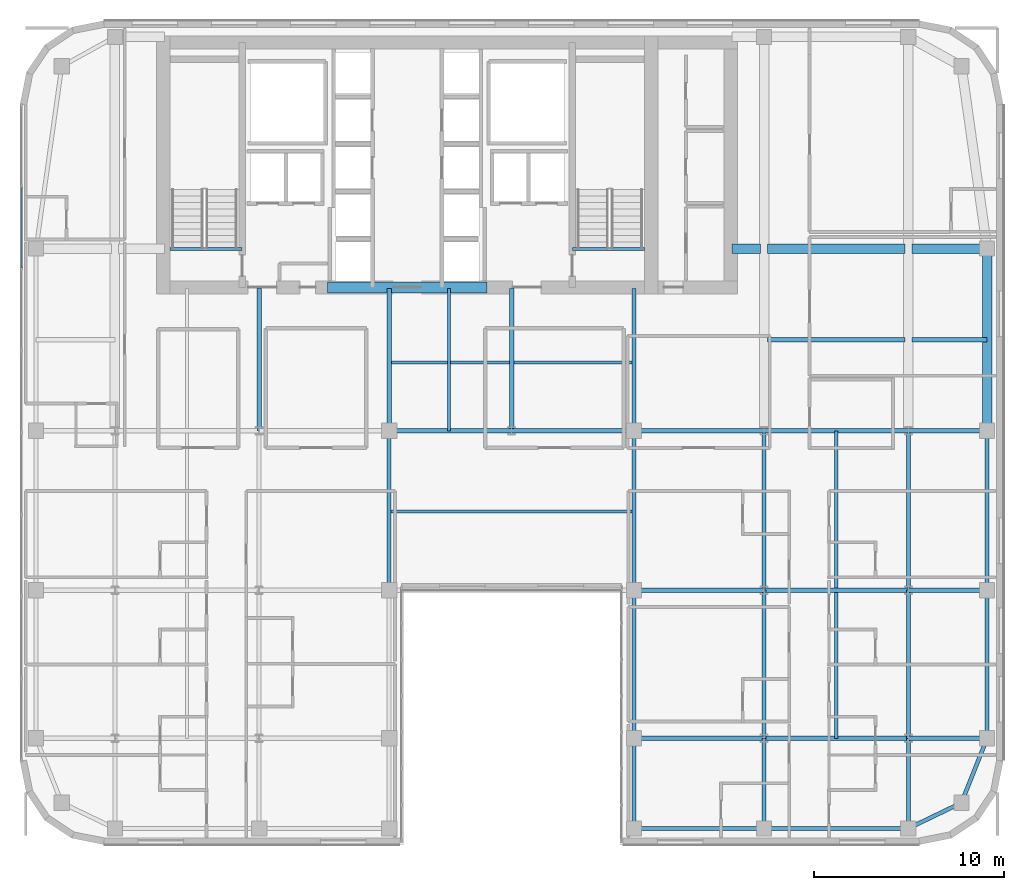
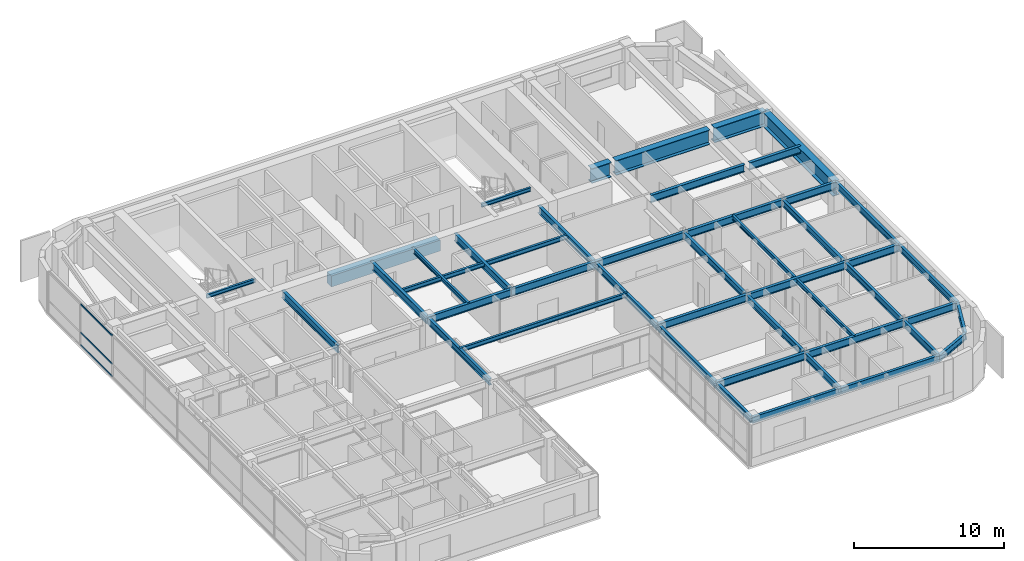
# One storey, part 12 of 28: 45 beams, 3 members, 1 element without a shape of its own.
"""IFC4 building model written with IfcOpenShell, lengths in metres."""

from ifc_helpers import new_model, si_unit, direction, frame, origin, origin_2d, place, context, subcontext, project, spatial, rectangle, hollow_rectangle, i_section, extrude, source, transform, mapped, material, layer, layer_set, material_profile, profile_set, type_object, type_shapes, element, aggregate, save


model = new_model("IFC4")

# Units and contexts
model_context = context("Model", 3, precision=1e-05, world=origin(), true_north=direction((0.0, 1.0)))
body_context = subcontext(model_context, "Body", "Model", "MODEL_VIEW")
ifc_project = project(units=[si_unit("LENGTHUNIT", "METRE"), si_unit("AREAUNIT", "SQUARE_METRE"), si_unit("VOLUMEUNIT", "CUBIC_METRE"), si_unit("PLANEANGLEUNIT", "RADIAN"), si_unit("MASSUNIT", "GRAM", prefix="KILO")], contexts=[model_context])

# Site, building, storey
site_placement = place(None, origin())
site = spatial("IfcSite", under=ifc_project, at=site_placement, CompositionType="ELEMENT")
building_placement = place(site_placement, origin())
building = spatial("IfcBuilding", under=site, at=building_placement, Name="Tolvann Quenvar Hotel", CompositionType="ELEMENT")
storey_placement = place(building_placement, frame((0.0, 0.0, 154.14990234375)))
storey = spatial("IfcBuildingStorey", under=building, at=storey_placement, Name="L40", CompositionType="ELEMENT", Elevation=154.14990234375)

# Beams
ifc_material_1 = material(Name="Concrete N50 (50 MPa)", Category="concrete")
ifc_material_profile_1 = material_profile(ifc_material_1, rectangle(XDim=0.60009765625, YDim=0.89990234375, at=origin_2d()), Name="RC600x900")
ifc_profile_set_1 = profile_set([ifc_material_profile_1], Name="Concrete N50 (50 MPa)")
beam_type_1 = type_object("IfcBeamType", Name="BM_LINT_RC600x900", PredefinedType="LINTEL", material=ifc_profile_set_1)
shared_shape_1 = source(origin(), body_context, "Body", "SweptSolid", [
    extrude(rectangle(XDim=0.60009765625, YDim=0.89990234375, at=origin_2d()), origin(), (0.0, 0.0, 1.0), 8.39990234375),
])
type_shapes(beam_type_1, [shared_shape_1])
beam_1_placement = place(storey_placement, frame((18.800048828125, 31.949951171875, 2.920166015625), z_axis=(1.0, 0.0, 0.0), x_axis=(0.0, 1.0, 0.0)))
element("IfcBeam", 1, at=beam_1_placement, inside=storey, type_object=beam_type_1, Name="Core Coupling Lintel Beam (L40)", PredefinedType="LINTEL", context=body_context, shape_type="MappedRepresentation", body=[
    mapped(shared_shape_1, transform((0.0, 0.0, 0.0), x_axis=(1.0, 0.0, 0.0), y_axis=(0.0, 1.0, 0.0), z_axis=(0.0, 0.0, 1.0), scale=1.0)),
])
ifc_material_2 = material(Name="Steel Grade 350", Category="steel")
ifc_material_profile_2 = material_profile(ifc_material_2, i_section(OverallWidth=0.5, OverallDepth=1.199951171875, WebThickness=0.01611328125, FlangeThickness=0.0400390625, at=origin_2d()), Name="1200WB455")
ifc_profile_set_2 = profile_set([ifc_material_profile_2], Name="Steel Grade 350")
beam_type_2 = type_object("IfcBeamType", Name="BM_TG_1200WB455", PredefinedType="USERDEFINED", material=ifc_profile_set_2)
shared_shape_2 = source(origin(), body_context, "Body", "SweptSolid", [
    extrude(i_section(OverallWidth=0.5, OverallDepth=1.199951171875, WebThickness=0.01611328125, FlangeThickness=0.0400390625, at=origin_2d()), origin(), (0.0, 0.0, 1.0), 9.60009765625),
])
beam_2_placement = place(storey_placement, frame((53.550048828125, 24.39990234375, 2.77001953125), z_axis=(0.0, 1.0, 0.0), x_axis=(-1.0, 0.0, 0.0)))
element("IfcBeam", 2, at=beam_2_placement, inside=storey, type_object=beam_type_2, Name="BM-L40-FLK-E1", ObjectType="TRANSFER GIRDER", PredefinedType="USERDEFINED", context=body_context, shape_type="MappedRepresentation", body=[
    mapped(shared_shape_2, transform((0.0, 0.0, 0.0), x_axis=(1.0, 0.0, 0.0), y_axis=(0.0, 1.0, 0.0), z_axis=(0.0, 0.0, 1.0), scale=1.0)),
])
ifc_material_profile_3 = material_profile(ifc_material_2, i_section(OverallWidth=0.208984375, OverallDepth=0.528076171875, WebThickness=0.009521484375, FlangeThickness=0.01318359375, FilletRadius=0.013916015625, at=origin_2d()), Name="530UB82")
ifc_profile_set_3 = profile_set([ifc_material_profile_3], Name="Steel Grade 350")
beam_type_3 = type_object("IfcBeamType", Name="BM_SPAND_530UB82", PredefinedType="SPANDREL", material=ifc_profile_set_3)
shared_shape_3 = source(origin(), body_context, "Body", "SweptSolid", [
    extrude(i_section(OverallWidth=0.208984375, OverallDepth=0.528076171875, WebThickness=0.009521484375, FlangeThickness=0.01318359375, FilletRadius=0.013916015625, at=origin_2d()), origin(), (0.0, 0.0, 1.0), 7.599853515625),
])
beam_3_placement = place(storey_placement, frame((41.800048828125, 3.449951171875, 3.106201171875), z_axis=(1.0, 0.0, 0.0), x_axis=(0.0, 1.0, 0.0)))
element("IfcBeam", 3, at=beam_3_placement, inside=storey, type_object=beam_type_3, Name="BM-L40-EW-2-H2-I2", PredefinedType="SPANDREL", context=body_context, shape_type="MappedRepresentation", body=[
    mapped(shared_shape_3, transform((0.0, 0.0, 0.0), x_axis=(1.0, 0.0, 0.0), y_axis=(0.0, 1.0, 0.0), z_axis=(0.0, 0.0, 1.0), scale=1.0)),
])
shared_shape_4 = source(origin(), body_context, "Body", "SweptSolid", [
    extrude(i_section(OverallWidth=0.208984375, OverallDepth=0.528076171875, WebThickness=0.009521484375, FlangeThickness=0.01318359375, FilletRadius=0.013916015625, at=origin_2d()), origin(), (0.0, 0.0, 1.0), 6.85009765625),
])
beam_4_placement = place(storey_placement, frame((34.949951171875, 3.449951171875, 3.106201171875), z_axis=(1.0, 0.0, 0.0), x_axis=(0.0, 1.0, 0.0)))
element("IfcBeam", 4, at=beam_4_placement, inside=storey, type_object=beam_type_3, Name="BM-L40-EW-2-F2-H2", PredefinedType="SPANDREL", context=body_context, shape_type="MappedRepresentation", body=[
    mapped(shared_shape_4, transform((0.0, 0.0, 0.0), x_axis=(1.0, 0.0, 0.0), y_axis=(0.0, 1.0, 0.0), z_axis=(0.0, 0.0, 1.0), scale=1.0)),
])
shared_shape_5 = source(origin(), body_context, "Body", "SweptSolid", [
    extrude(i_section(OverallWidth=0.208984375, OverallDepth=0.528076171875, WebThickness=0.009521484375, FlangeThickness=0.01318359375, FilletRadius=0.013916015625, at=origin_2d()), origin(), (0.0, 0.0, 1.0), 7.800048828125),
])
beam_5_placement = place(storey_placement, frame((53.550048828125, 8.199951171875, 3.106201171875), z_axis=(0.0, 1.0, 0.0), x_axis=(-1.0, 0.0, 0.0)))
element("IfcBeam", 5, at=beam_5_placement, inside=storey, type_object=beam_type_3, Name="BM-L40-NS-J3-J4", PredefinedType="SPANDREL", context=body_context, shape_type="MappedRepresentation", body=[
    mapped(shared_shape_5, transform((0.0, 0.0, 0.0), x_axis=(1.0, 0.0, 0.0), y_axis=(0.0, 1.0, 0.0), z_axis=(0.0, 0.0, 1.0), scale=1.0)),
])
shared_shape_6 = source(origin(), body_context, "Body", "SweptSolid", [
    extrude(i_section(OverallWidth=0.208984375, OverallDepth=0.528076171875, WebThickness=0.009521484375, FlangeThickness=0.01318359375, FilletRadius=0.013916015625, at=origin_2d()), origin(), (0.0, 0.0, 1.0), 8.39990234375),
])
beam_6_placement = place(storey_placement, frame((53.550048828125, 16.0, 3.106201171875), z_axis=(0.0, 1.0, 0.0), x_axis=(-1.0, 0.0, 0.0)))
element("IfcBeam", 6, at=beam_6_placement, inside=storey, type_object=beam_type_3, Name="BM-L40-NS-J4-J5", PredefinedType="SPANDREL", context=body_context, shape_type="MappedRepresentation", body=[
    mapped(shared_shape_6, transform((0.0, 0.0, 0.0), x_axis=(1.0, 0.0, 0.0), y_axis=(0.0, 1.0, 0.0), z_axis=(0.0, 0.0, 1.0), scale=1.0)),
])
ifc_material_profile_4 = material_profile(ifc_material_2, i_section(OverallWidth=0.208984375, OverallDepth=0.532958984375, WebThickness=0.01025390625, FlangeThickness=0.015625, FilletRadius=0.013916015625, at=origin_2d()), Name="530UB92")
ifc_profile_set_4 = profile_set([ifc_material_profile_4], Name="Steel Grade 350")
beam_type_4 = type_object("IfcBeamType", Name="BM_GIRD_530UB92", PredefinedType="BEAM", material=ifc_profile_set_4)
shared_shape_7 = source(origin(), body_context, "Body", "SweptSolid", [
    extrude(i_section(OverallWidth=0.208984375, OverallDepth=0.532958984375, WebThickness=0.01025390625, FlangeThickness=0.015625, FilletRadius=0.013916015625, at=origin_2d()), origin(), (0.0, 0.0, 1.0), 7.800048828125),
])
for number, where, z_axis, x_axis, name in (
    (7, (34.949951171875, 8.199951171875, 3.103515625), (0.0, 1.0, 0.0), (-1.0, 0.0, 0.0), "BM-L40-NS-F3-F4"),
    (8, (41.800048828125, 8.199951171875, 3.103515625), (0.0, 1.0, 0.0), (-1.0, 0.0, 0.0), "BM-L40-NS-H3-H4"),
    (9, (49.39990234375, 8.199951171875, 3.103515625), (0.0, 1.0, 0.0), (-1.0, 0.0, 0.0), "BM-L40-NS-I3-I4"),
):
    element("IfcBeam", number, at=place(storey_placement, frame(where, z_axis=z_axis, x_axis=x_axis)), inside=storey, type_object=beam_type_4, Name=name, PredefinedType="BEAM", context=body_context, shape_type="MappedRepresentation", body=[
        mapped(shared_shape_7, transform((0.0, 0.0, 0.0), x_axis=(1.0, 0.0, 0.0), y_axis=(0.0, 1.0, 0.0), z_axis=(0.0, 0.0, 1.0), scale=1.0)),
    ])
shared_shape_8 = source(origin(), body_context, "Body", "SweptSolid", [
    extrude(i_section(OverallWidth=0.208984375, OverallDepth=0.532958984375, WebThickness=0.01025390625, FlangeThickness=0.015625, FilletRadius=0.013916015625, at=origin_2d()), origin(), (0.0, 0.0, 1.0), 8.39990234375),
])
for number, where, z_axis, x_axis, name in (
    (10, (22.050048828125, 16.0, 3.103515625), (0.0, 1.0, 0.0), (-1.0, 0.0, 0.0), "BM-L40-NS-E4-E5"),
    (11, (34.949951171875, 16.0, 3.103515625), (0.0, 1.0, 0.0), (-1.0, 0.0, 0.0), "BM-L40-NS-F4-F5"),
    (12, (41.800048828125, 16.0, 3.103515625), (0.0, 1.0, 0.0), (-1.0, 0.0, 0.0), "BM-L40-NS-H4-H5"),
    (13, (49.39990234375, 16.0, 3.103515625), (0.0, 1.0, 0.0), (-1.0, 0.0, 0.0), "BM-L40-NS-I4-I5"),
):
    element("IfcBeam", number, at=place(storey_placement, frame(where, z_axis=z_axis, x_axis=x_axis)), inside=storey, type_object=beam_type_4, Name=name, PredefinedType="BEAM", context=body_context, shape_type="MappedRepresentation", body=[
        mapped(shared_shape_8, transform((0.0, 0.0, 0.0), x_axis=(1.0, 0.0, 0.0), y_axis=(0.0, 1.0, 0.0), z_axis=(0.0, 0.0, 1.0), scale=1.0)),
    ])
shared_shape_9 = source(origin(), body_context, "Body", "SweptSolid", [
    extrude(i_section(OverallWidth=0.5, OverallDepth=1.199951171875, WebThickness=0.01611328125, FlangeThickness=0.0400390625, at=origin_2d()), origin(), (0.0, 0.0, 1.0), 1.52001953125),
])
beam_7_placement = place(storey_placement, frame((40.10009765625, 34.0, 2.77001953125), z_axis=(1.0, 0.0, 0.0), x_axis=(0.0, 1.0, 0.0)))
element("IfcBeam", 14, at=beam_7_placement, inside=storey, type_object=beam_type_2, Name="BM-L40-CTE-JD6A", ObjectType="TRANSFER GIRDER", PredefinedType="USERDEFINED", context=body_context, shape_type="MappedRepresentation", body=[
    mapped(shared_shape_9, transform((0.0, 0.0, 0.0), x_axis=(1.0, 0.0, 0.0), y_axis=(0.0, 1.0, 0.0), z_axis=(0.0, 0.0, 1.0), scale=1.0)),
])
shared_shape_10 = source(origin(), body_context, "Body", "SweptSolid", [
    extrude(i_section(OverallWidth=0.5, OverallDepth=1.199951171875, WebThickness=0.01611328125, FlangeThickness=0.0400390625, at=origin_2d()), origin(), (0.0, 0.0, 1.0), 7.239990234375),
])
beam_8_placement = place(storey_placement, frame((41.97998046875, 34.0, 2.77001953125), z_axis=(1.0, 0.0, 0.0), x_axis=(0.0, 1.0, 0.0)))
element("IfcBeam", 15, at=beam_8_placement, inside=storey, type_object=beam_type_2, Name="BM-L40-CTE-JD6B", ObjectType="TRANSFER GIRDER", PredefinedType="USERDEFINED", context=body_context, shape_type="MappedRepresentation", body=[
    mapped(shared_shape_10, transform((0.0, 0.0, 0.0), x_axis=(1.0, 0.0, 0.0), y_axis=(0.0, 1.0, 0.0), z_axis=(0.0, 0.0, 1.0), scale=1.0)),
])
ifc_material_profile_5 = material_profile(ifc_material_2, i_section(OverallWidth=0.166015625, OverallDepth=0.306884765625, WebThickness=0.006591796875, FlangeThickness=0.01171875, FilletRadius=0.011474609375, at=origin_2d()), Name="310UB46")
ifc_profile_set_5 = profile_set([ifc_material_profile_5], Name="Steel Grade 350")
beam_type_5 = type_object("IfcBeamType", Name="BM_JOIST_310UB46", PredefinedType="JOIST", material=ifc_profile_set_5)
shared_shape_11 = source(origin(), body_context, "Body", "SweptSolid", [
    extrude(i_section(OverallWidth=0.166015625, OverallDepth=0.306884765625, WebThickness=0.006591796875, FlangeThickness=0.01171875, FilletRadius=0.011474609375, at=origin_2d()), origin(), (0.0, 0.0, 1.0), 3.800048828125),
])
type_shapes(beam_type_5, [shared_shape_11])
for number, where, z_axis, x_axis, name in (
    (16, (10.5, 33.97998046875, 3.216552734375), (1.0, 0.0, 0.0), (0.0, 1.0, 0.0), "BM-HDR-STC1-L41"),
    (17, (31.699951171875, 33.97998046875, 3.216552734375), (1.0, 0.0, 0.0), (0.0, 1.0, 0.0), "BM-HDR-STC2-L41"),
):
    element("IfcBeam", number, at=place(storey_placement, frame(where, z_axis=z_axis, x_axis=x_axis)), inside=storey, type_object=beam_type_5, Name=name, PredefinedType="JOIST", context=body_context, shape_type="MappedRepresentation", body=[
        mapped(shared_shape_11, transform((0.0, 0.0, 0.0), x_axis=(1.0, 0.0, 0.0), y_axis=(0.0, 1.0, 0.0), z_axis=(0.0, 0.0, 1.0), scale=1.0)),
    ])
shared_shape_12 = source(origin(), body_context, "Body", "SweptSolid", [
    extrude(i_section(OverallWidth=0.5, OverallDepth=1.199951171875, WebThickness=0.01611328125, FlangeThickness=0.0400390625, at=origin_2d()), origin(), (0.0, 0.0, 1.0), 3.969970703125),
])
type_shapes(beam_type_2, [shared_shape_2, shared_shape_9, shared_shape_10, shared_shape_12])
beam_9_placement = place(storey_placement, frame((49.580078125, 34.0, 2.77001953125), z_axis=(1.0, 0.0, 0.0), x_axis=(0.0, 1.0, 0.0)))
element("IfcBeam", 18, at=beam_9_placement, inside=storey, type_object=beam_type_2, Name="BM-L40-CTE-JD6C", ObjectType="TRANSFER GIRDER", PredefinedType="USERDEFINED", context=body_context, shape_type="MappedRepresentation", body=[
    mapped(shared_shape_12, transform((0.0, 0.0, 0.0), x_axis=(1.0, 0.0, 0.0), y_axis=(0.0, 1.0, 0.0), z_axis=(0.0, 0.0, 1.0), scale=1.0)),
])
ifc_material_profile_6 = material_profile(ifc_material_2, i_section(OverallWidth=0.172119140625, OverallDepth=0.35888671875, WebThickness=0.008056640625, FlangeThickness=0.012939453125, FilletRadius=0.011474609375, at=origin_2d()), Name="360UB57")
ifc_profile_set_6 = profile_set([ifc_material_profile_6], Name="Steel Grade 350")
beam_type_6 = type_object("IfcBeamType", Name="BM_JOIST_360UB57", PredefinedType="JOIST", material=ifc_profile_set_6)
shared_shape_13 = source(origin(), body_context, "Body", "SweptSolid", [
    extrude(i_section(OverallWidth=0.172119140625, OverallDepth=0.35888671875, WebThickness=0.008056640625, FlangeThickness=0.012939453125, FilletRadius=0.011474609375, at=origin_2d()), origin(), (0.0, 0.0, 1.0), 12.89990234375),
])
for number, where, z_axis, x_axis, name in (
    (19, (22.050048828125, 20.14990234375, 3.190673828125), (1.0, 0.0, 0.0), (0.0, 1.0, 0.0), "BM-L40-SPINE-20"),
    (20, (22.050048828125, 28.0, 3.190673828125), (1.0, 0.0, 0.0), (0.0, 1.0, 0.0), "BM-L40-SPINE-28"),
):
    element("IfcBeam", number, at=place(storey_placement, frame(where, z_axis=z_axis, x_axis=x_axis)), inside=storey, type_object=beam_type_6, Name=name, PredefinedType="JOIST", context=body_context, shape_type="MappedRepresentation", body=[
        mapped(shared_shape_13, transform((0.0, 0.0, 0.0), x_axis=(1.0, 0.0, 0.0), y_axis=(0.0, 1.0, 0.0), z_axis=(0.0, 0.0, 1.0), scale=1.0)),
    ])
shared_shape_14 = source(origin(), body_context, "Body", "SweptSolid", [
    extrude(i_section(OverallWidth=0.172119140625, OverallDepth=0.35888671875, WebThickness=0.008056640625, FlangeThickness=0.012939453125, FilletRadius=0.011474609375, at=origin_2d()), origin(), (0.0, 0.0, 1.0), 7.5),
])
beam_10_placement = place(storey_placement, frame((25.199951171875, 24.39990234375, 3.190673828125), z_axis=(0.0, 1.0, 0.0), x_axis=(-1.0, 0.0, 0.0)))
element("IfcBeam", 21, at=beam_10_placement, inside=storey, type_object=beam_type_6, Name="BJ-L40-252-244", PredefinedType="JOIST", context=body_context, shape_type="MappedRepresentation", body=[
    mapped(shared_shape_14, transform((0.0, 0.0, 0.0), x_axis=(1.0, 0.0, 0.0), y_axis=(0.0, 1.0, 0.0), z_axis=(0.0, 0.0, 1.0), scale=1.0)),
])
shared_shape_15 = source(origin(), body_context, "Body", "SweptSolid", [
    extrude(i_section(OverallWidth=0.208984375, OverallDepth=0.528076171875, WebThickness=0.009521484375, FlangeThickness=0.01318359375, FilletRadius=0.013916015625, at=origin_2d()), origin(), (0.0, 0.0, 1.0), 3.108642578125),
])
beam_11_placement = place(storey_placement, frame((49.39990234375, 3.449951171875, 3.106201171875), z_axis=(0.900759354066, 0.434318530646, 0.0), x_axis=(-0.434318530646, 0.900759354066, 0.0)))
element("IfcBeam", 22, at=beam_11_placement, inside=storey, type_object=beam_type_3, Name="BM-L40-EW-2-I2-J2", PredefinedType="SPANDREL", context=body_context, shape_type="MappedRepresentation", body=[
    mapped(shared_shape_15, transform((0.0, 0.0, 0.0), x_axis=(1.0, 0.0, 0.0), y_axis=(0.0, 1.0, 0.0), z_axis=(0.0, 0.0, 1.0), scale=1.0)),
])
ifc_material_profile_7 = material_profile(ifc_material_2, i_section(OverallWidth=0.22802734375, OverallDepth=0.60205078125, WebThickness=0.010498046875, FlangeThickness=0.014892578125, FilletRadius=0.013916015625, at=origin_2d()), Name="610UB101")
ifc_profile_set_7 = profile_set([ifc_material_profile_7], Name="Steel Grade 350")
beam_type_7 = type_object("IfcBeamType", Name="BM_GIRD_610UB101", PredefinedType="BEAM", material=ifc_profile_set_7)
shared_shape_16 = source(origin(), body_context, "Body", "SweptSolid", [
    extrude(i_section(OverallWidth=0.22802734375, OverallDepth=0.60205078125, WebThickness=0.010498046875, FlangeThickness=0.014892578125, FilletRadius=0.013916015625, at=origin_2d()), origin(), (0.0, 0.0, 1.0), 4.150146484375),
])
for number, where, z_axis, x_axis, name in (
    (23, (49.39990234375, 8.199951171875, 3.069091796875), (1.0, 0.0, 0.0), (0.0, 1.0, 0.0), "BM-L40-EW-3-I3-J3"),
    (24, (49.39990234375, 16.0, 3.069091796875), (1.0, 0.0, 0.0), (0.0, 1.0, 0.0), "BM-L40-EW-4-I4-J4"),
    (25, (49.39990234375, 24.39990234375, 3.069091796875), (1.0, 0.0, 0.0), (0.0, 1.0, 0.0), "BM-L40-EW-5-I5-J5"),
):
    element("IfcBeam", number, at=place(storey_placement, frame(where, z_axis=z_axis, x_axis=x_axis)), inside=storey, type_object=beam_type_7, Name=name, PredefinedType="BEAM", context=body_context, shape_type="MappedRepresentation", body=[
        mapped(shared_shape_16, transform((0.0, 0.0, 0.0), x_axis=(1.0, 0.0, 0.0), y_axis=(0.0, 1.0, 0.0), z_axis=(0.0, 0.0, 1.0), scale=1.0)),
    ])
shared_shape_17 = source(origin(), body_context, "Body", "SweptSolid", [
    extrude(i_section(OverallWidth=0.22802734375, OverallDepth=0.60205078125, WebThickness=0.010498046875, FlangeThickness=0.014892578125, FilletRadius=0.013916015625, at=origin_2d()), origin(), (0.0, 0.0, 1.0), 7.599853515625),
])
for number, where, z_axis, x_axis, name in (
    (26, (41.800048828125, 8.199951171875, 3.069091796875), (1.0, 0.0, 0.0), (0.0, 1.0, 0.0), "BM-L40-EW-3-H3-I3"),
    (27, (41.800048828125, 16.0, 3.069091796875), (1.0, 0.0, 0.0), (0.0, 1.0, 0.0), "BM-L40-EW-4-H4-I4"),
    (28, (41.800048828125, 24.39990234375, 3.069091796875), (1.0, 0.0, 0.0), (0.0, 1.0, 0.0), "BM-L40-EW-5-H5-I5"),
):
    element("IfcBeam", number, at=place(storey_placement, frame(where, z_axis=z_axis, x_axis=x_axis)), inside=storey, type_object=beam_type_7, Name=name, PredefinedType="BEAM", context=body_context, shape_type="MappedRepresentation", body=[
        mapped(shared_shape_17, transform((0.0, 0.0, 0.0), x_axis=(1.0, 0.0, 0.0), y_axis=(0.0, 1.0, 0.0), z_axis=(0.0, 0.0, 1.0), scale=1.0)),
    ])
shared_shape_18 = source(origin(), body_context, "Body", "SweptSolid", [
    extrude(i_section(OverallWidth=0.22802734375, OverallDepth=0.60205078125, WebThickness=0.010498046875, FlangeThickness=0.014892578125, FilletRadius=0.013916015625, at=origin_2d()), origin(), (0.0, 0.0, 1.0), 6.85009765625),
])
for number, where, z_axis, x_axis, name in (
    (29, (34.949951171875, 8.199951171875, 3.069091796875), (1.0, 0.0, 0.0), (0.0, 1.0, 0.0), "BM-L40-EW-3-F3-H3"),
    (30, (34.949951171875, 16.0, 3.069091796875), (1.0, 0.0, 0.0), (0.0, 1.0, 0.0), "BM-L40-EW-4-F4-H4"),
    (31, (34.949951171875, 24.39990234375, 3.069091796875), (1.0, 0.0, 0.0), (0.0, 1.0, 0.0), "BM-L40-EW-5-F5-H5"),
):
    element("IfcBeam", number, at=place(storey_placement, frame(where, z_axis=z_axis, x_axis=x_axis)), inside=storey, type_object=beam_type_7, Name=name, PredefinedType="BEAM", context=body_context, shape_type="MappedRepresentation", body=[
        mapped(shared_shape_18, transform((0.0, 0.0, 0.0), x_axis=(1.0, 0.0, 0.0), y_axis=(0.0, 1.0, 0.0), z_axis=(0.0, 0.0, 1.0), scale=1.0)),
    ])
shared_shape_19 = source(origin(), body_context, "Body", "SweptSolid", [
    extrude(i_section(OverallWidth=0.22802734375, OverallDepth=0.60205078125, WebThickness=0.010498046875, FlangeThickness=0.014892578125, FilletRadius=0.013916015625, at=origin_2d()), origin(), (0.0, 0.0, 1.0), 6.449951171875),
])
for number, where, z_axis, x_axis, name in (
    (32, (22.050048828125, 24.39990234375, 3.069091796875), (1.0, 0.0, 0.0), (0.0, 1.0, 0.0), "BM-L40-EW-5-E5-M5"),
    (33, (28.5, 24.39990234375, 3.069091796875), (1.0, 0.0, 0.0), (0.0, 1.0, 0.0), "BM-L40-EW-5-M5-F5"),
):
    element("IfcBeam", number, at=place(storey_placement, frame(where, z_axis=z_axis, x_axis=x_axis)), inside=storey, type_object=beam_type_7, Name=name, PredefinedType="BEAM", context=body_context, shape_type="MappedRepresentation", body=[
        mapped(shared_shape_19, transform((0.0, 0.0, 0.0), x_axis=(1.0, 0.0, 0.0), y_axis=(0.0, 1.0, 0.0), z_axis=(0.0, 0.0, 1.0), scale=1.0)),
    ])
shared_shape_20 = source(origin(), body_context, "Body", "SweptSolid", [
    extrude(i_section(OverallWidth=0.208984375, OverallDepth=0.528076171875, WebThickness=0.009521484375, FlangeThickness=0.01318359375, FilletRadius=0.013916015625, at=origin_2d()), origin(), (0.0, 0.0, 1.0), 3.658203125),
])
type_shapes(beam_type_3, [shared_shape_3, shared_shape_4, shared_shape_5, shared_shape_6, shared_shape_15, shared_shape_20])
beam_12_placement = place(storey_placement, frame((52.199951171875, 4.800048828125, 3.106201171875), z_axis=(0.369065163807, 0.929403521009, 0.0), x_axis=(-0.929403521009, 0.369065163807, 0.0)))
element("IfcBeam", 34, at=beam_12_placement, inside=storey, type_object=beam_type_3, Name="BM-L40-NS-J2-J3", PredefinedType="SPANDREL", context=body_context, shape_type="MappedRepresentation", body=[
    mapped(shared_shape_20, transform((0.0, 0.0, 0.0), x_axis=(1.0, 0.0, 0.0), y_axis=(0.0, 1.0, 0.0), z_axis=(0.0, 0.0, 1.0), scale=1.0)),
])
shared_shape_21 = source(origin(), body_context, "Body", "SweptSolid", [
    extrude(i_section(OverallWidth=0.208984375, OverallDepth=0.532958984375, WebThickness=0.01025390625, FlangeThickness=0.015625, FilletRadius=0.013916015625, at=origin_2d()), origin(), (0.0, 0.0, 1.0), 4.75),
])
type_shapes(beam_type_4, [shared_shape_7, shared_shape_8, shared_shape_21])
for number, where, z_axis, x_axis, name in (
    (35, (34.949951171875, 3.449951171875, 3.103515625), (0.0, 1.0, 0.0), (-1.0, 0.0, 0.0), "BM-L40-NS-F2-F3"),
    (36, (41.800048828125, 3.449951171875, 3.103515625), (0.0, 1.0, 0.0), (-1.0, 0.0, 0.0), "BM-L40-NS-H2-H3"),
    (37, (49.39990234375, 3.449951171875, 3.103515625), (0.0, 1.0, 0.0), (-1.0, 0.0, 0.0), "BM-L40-NS-I2-I3"),
):
    element("IfcBeam", number, at=place(storey_placement, frame(where, z_axis=z_axis, x_axis=x_axis)), inside=storey, type_object=beam_type_4, Name=name, PredefinedType="BEAM", context=body_context, shape_type="MappedRepresentation", body=[
        mapped(shared_shape_21, transform((0.0, 0.0, 0.0), x_axis=(1.0, 0.0, 0.0), y_axis=(0.0, 1.0, 0.0), z_axis=(0.0, 0.0, 1.0), scale=1.0)),
    ])
shared_shape_22 = source(origin(), body_context, "Body", "SweptSolid", [
    extrude(i_section(OverallWidth=0.22802734375, OverallDepth=0.60205078125, WebThickness=0.010498046875, FlangeThickness=0.014892578125, FilletRadius=0.013916015625, at=origin_2d()), origin(), (0.0, 0.0, 1.0), 7.5),
])
for number, where, z_axis, x_axis, name in (
    (38, (15.199951171875, 24.39990234375, 3.069091796875), (0.0, 1.0, 0.0), (-1.0, 0.0, 0.0), "BM-L40-CORE-D5"),
    (39, (22.050048828125, 24.39990234375, 3.069091796875), (0.0, 1.0, 0.0), (-1.0, 0.0, 0.0), "BM-L40-CORE-E5"),
    (40, (34.949951171875, 24.39990234375, 3.069091796875), (0.0, 1.0, 0.0), (-1.0, 0.0, 0.0), "BM-L40-CORE-F5"),
    (41, (28.5, 24.39990234375, 3.069091796875), (0.0, 1.0, 0.0), (-1.0, 0.0, 0.0), "BM-L40-CORE-M5"),
):
    element("IfcBeam", number, at=place(storey_placement, frame(where, z_axis=z_axis, x_axis=x_axis)), inside=storey, type_object=beam_type_7, Name=name, PredefinedType="BEAM", context=body_context, shape_type="MappedRepresentation", body=[
        mapped(shared_shape_22, transform((0.0, 0.0, 0.0), x_axis=(1.0, 0.0, 0.0), y_axis=(0.0, 1.0, 0.0), z_axis=(0.0, 0.0, 1.0), scale=1.0)),
    ])
shared_shape_23 = source(origin(), body_context, "Body", "SweptSolid", [
    extrude(i_section(OverallWidth=0.22802734375, OverallDepth=0.60205078125, WebThickness=0.010498046875, FlangeThickness=0.014892578125, FilletRadius=0.013916015625, at=origin_2d()), origin(), (0.0, 0.0, 1.0), 7.239990234375),
])
beam_13_placement = place(storey_placement, frame((41.97998046875, 29.199951171875, 3.069091796875), z_axis=(1.0, 0.0, 0.0), x_axis=(0.0, 1.0, 0.0)))
element("IfcBeam", 42, at=beam_13_placement, inside=storey, type_object=beam_type_7, Name="BM-L40-EW-HI29", PredefinedType="BEAM", context=body_context, shape_type="MappedRepresentation", body=[
    mapped(shared_shape_23, transform((0.0, 0.0, 0.0), x_axis=(1.0, 0.0, 0.0), y_axis=(0.0, 1.0, 0.0), z_axis=(0.0, 0.0, 1.0), scale=1.0)),
])
shared_shape_24 = source(origin(), body_context, "Body", "SweptSolid", [
    extrude(i_section(OverallWidth=0.22802734375, OverallDepth=0.60205078125, WebThickness=0.010498046875, FlangeThickness=0.014892578125, FilletRadius=0.013916015625, at=origin_2d()), origin(), (0.0, 0.0, 1.0), 3.969970703125),
])
type_shapes(beam_type_7, [shared_shape_16, shared_shape_17, shared_shape_18, shared_shape_19, shared_shape_22, shared_shape_23, shared_shape_24])
beam_14_placement = place(storey_placement, frame((49.580078125, 29.199951171875, 3.069091796875), z_axis=(1.0, 0.0, 0.0), x_axis=(0.0, 1.0, 0.0)))
element("IfcBeam", 43, at=beam_14_placement, inside=storey, type_object=beam_type_7, Name="BM-L40-EW-IJ29", PredefinedType="BEAM", context=body_context, shape_type="MappedRepresentation", body=[
    mapped(shared_shape_24, transform((0.0, 0.0, 0.0), x_axis=(1.0, 0.0, 0.0), y_axis=(0.0, 1.0, 0.0), z_axis=(0.0, 0.0, 1.0), scale=1.0)),
])
shared_shape_25 = source(origin(), body_context, "Body", "SweptSolid", [
    extrude(i_section(OverallWidth=0.172119140625, OverallDepth=0.35888671875, WebThickness=0.008056640625, FlangeThickness=0.012939453125, FilletRadius=0.011474609375, at=origin_2d()), origin(), (0.0, 0.0, 1.0), 7.692138671875),
])
beam_15_placement = place(storey_placement, frame((45.60009765625, 8.199951171875, 3.190673828125), z_axis=(0.0, 1.0, 0.0), x_axis=(-1.0, 0.0, 0.0)))
element("IfcBeam", 44, at=beam_15_placement, inside=storey, type_object=beam_type_6, Name="BJ-L40-456-82", PredefinedType="JOIST", context=body_context, shape_type="MappedRepresentation", body=[
    mapped(shared_shape_25, transform((0.0, 0.0, 0.0), x_axis=(1.0, 0.0, 0.0), y_axis=(0.0, 1.0, 0.0), z_axis=(0.0, 0.0, 1.0), scale=1.0)),
])
shared_shape_26 = source(origin(), body_context, "Body", "SweptSolid", [
    extrude(i_section(OverallWidth=0.172119140625, OverallDepth=0.35888671875, WebThickness=0.008056640625, FlangeThickness=0.012939453125, FilletRadius=0.011474609375, at=origin_2d()), origin(), (0.0, 0.0, 1.0), 8.2919921875),
])
type_shapes(beam_type_6, [shared_shape_13, shared_shape_14, shared_shape_25, shared_shape_26])
beam_16_placement = place(storey_placement, frame((45.60009765625, 16.10791015625, 3.190673828125), z_axis=(0.0, 1.0, 0.0), x_axis=(-1.0, 0.0, 0.0)))
element("IfcBeam", 45, at=beam_16_placement, inside=storey, type_object=beam_type_6, Name="BJ-L40-456-160", PredefinedType="JOIST", context=body_context, shape_type="MappedRepresentation", body=[
    mapped(shared_shape_26, transform((0.0, 0.0, 0.0), x_axis=(1.0, 0.0, 0.0), y_axis=(0.0, 1.0, 0.0), z_axis=(0.0, 0.0, 1.0), scale=1.0)),
])

# Curtain wall, members
ifc_material_3 = material(Name="Thermally broken anodised architectural aluminium 6063-T6 and laminated low-E glass", Category="aluminium")
ifc_layer = layer(ifc_material_3, 0.179931640625)
ifc_layer_set = layer_set([ifc_layer], Name="Thermally broken anodised architectural aluminium 6063-T6 and laminated low-E glass")
curtain_wall_type = type_object("IfcCurtainWallType", Name="CW_SYS_BAND_04", PredefinedType="USERDEFINED", material=ifc_layer_set)
curtain_wall_placement = place(storey_placement, origin())
curtain_wall = element("IfcCurtainWall", 46, at=curtain_wall_placement, inside=storey, type_object=curtain_wall_type, Name="Curtain Wall CW-BAND-04 (CWR-L40-E23)", ObjectType="UNITISED CURTAIN WALL", PredefinedType="USERDEFINED")
ifc_material_4 = material(Name="Anodised architectural aluminium 6063-T6 framing", Category="aluminium")
ifc_material_profile_8 = material_profile(ifc_material_4, hollow_rectangle(XDim=0.06005859375, YDim=0.1201171875, WallThickness=0.00341796875, at=origin_2d()), Name="120x60x3.5RHS")
ifc_profile_set_8 = profile_set([ifc_material_profile_8], Name="Anodised architectural aluminium 6063-T6 framing")
member_type = type_object("IfcMemberType", Name="CW_TRAN_120x60", PredefinedType="USERDEFINED", material=ifc_profile_set_8)
shared_shape_27 = source(origin(), body_context, "Body", "SweptSolid", [
    extrude(hollow_rectangle(XDim=0.06005859375, YDim=0.1201171875, WallThickness=0.00341796875, at=origin_2d()), origin(), (0.0, 0.0, 1.0), 4.250732421875),
])
type_shapes(member_type, [shared_shape_27])
member_1_placement = place(storey_placement, frame((2.68994140625, 37.22705078125, 0.030029296875), z_axis=(0.0, -1.0, 0.0), x_axis=(1.0, 0.0, 0.0)))
member_1 = element("IfcMember", 47, at=member_1_placement, type_object=member_type, Name="CW-BAND-04 transom 2.1", ObjectType="TRANSOM", PredefinedType="USERDEFINED", context=body_context, shape_type="MappedRepresentation", body=[
    mapped(shared_shape_27, transform((0.0, 0.0, 0.0), x_axis=(1.0, 0.0, 0.0), y_axis=(0.0, 1.0, 0.0), z_axis=(0.0, 0.0, 1.0), scale=1.0)),
])
member_2_placement = place(storey_placement, frame((2.68994140625, 37.22705078125, 1.050048828125), z_axis=(0.0, -1.0, 0.0), x_axis=(1.0, 0.0, 0.0)))
member_2 = element("IfcMember", 48, at=member_2_placement, type_object=member_type, Name="CW-BAND-04 transom 2.2", ObjectType="TRANSOM", PredefinedType="USERDEFINED", context=body_context, shape_type="MappedRepresentation", body=[
    mapped(shared_shape_27, transform((0.0, 0.0, 0.0), x_axis=(1.0, 0.0, 0.0), y_axis=(0.0, 1.0, 0.0), z_axis=(0.0, 0.0, 1.0), scale=1.0)),
])
member_3_placement = place(storey_placement, frame((2.68994140625, 37.22705078125, 3.340087890625), z_axis=(0.0, -1.0, 0.0), x_axis=(1.0, 0.0, 0.0)))
member_3 = element("IfcMember", 49, at=member_3_placement, type_object=member_type, Name="CW-BAND-04 transom 2.3", ObjectType="TRANSOM", PredefinedType="USERDEFINED", context=body_context, shape_type="MappedRepresentation", body=[
    mapped(shared_shape_27, transform((0.0, 0.0, 0.0), x_axis=(1.0, 0.0, 0.0), y_axis=(0.0, 1.0, 0.0), z_axis=(0.0, 0.0, 1.0), scale=1.0)),
])
aggregate(curtain_wall, [member_1, member_2, member_3])

save(model, "model.ifc")
